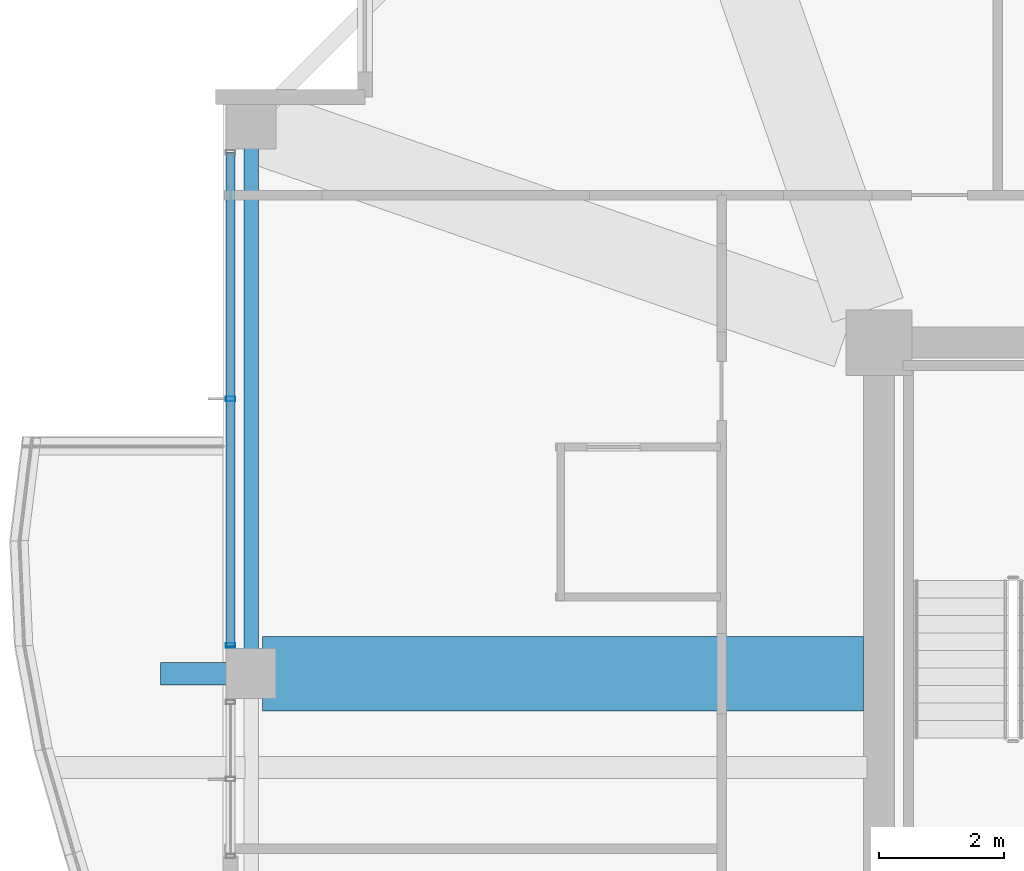
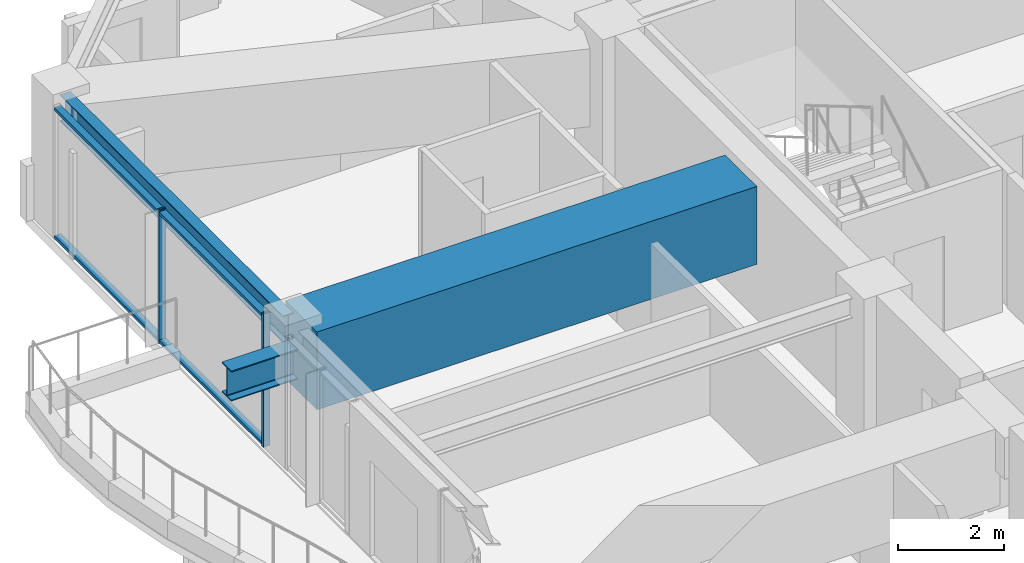
# One storey, part 9 of 35: 4 members, 3 beams, 1 element without a shape of its own.
"""IFC4 building model written with IfcOpenShell, lengths in metres."""

import ifcopenshell
import ifcopenshell.guid

model = None  # the IFC model being written
_history = None  # IfcOwnerHistory: only IFC2X3 demands one
_inside = {}  # id of a spatial element -> (the spatial element, [elements in it])
_under = {}  # id of a project, library or spatial element -> (it, [spatial elements below it])
_declared = {}  # id of a project -> (the project, [libraries it declares])
_typed = {}  # id of a type object -> (the type object, [elements of that type])
_made_of = {}  # id of a material, layer set ... -> (it, [elements and type objects made of it])


def new_model(schema):
    """Start an empty IFC model of exactly this schema.

    Asked for "IFC4X3", IfcOpenShell would pick the latest addendum, in which some entities
    have other attributes; the version numbers below select the first issue.
    IFC2X3 requires an IfcOwnerHistory on every rooted entity: one is made here for all.
    """
    global model, _history
    if schema == "IFC4X3":
        model = ifcopenshell.file(schema_version=(4, 3, 0, 0))
    else:
        model = ifcopenshell.file(schema=schema)
    _inside.clear()
    _under.clear()
    _declared.clear()
    _typed.clear()
    _made_of.clear()
    _history = None
    if model.schema == "IFC2X3":
        org = make("IfcOrganization", Name="unknown")
        user = make(
            "IfcPersonAndOrganization",
            ThePerson=make("IfcPerson", FamilyName="unknown"),
            TheOrganization=org,
        )
        app = make(
            "IfcApplication",
            ApplicationDeveloper=org,
            Version="unknown",
            ApplicationFullName="unknown",
            ApplicationIdentifier="unknown",
        )
        _history = make(
            "IfcOwnerHistory",
            OwningUser=user,
            OwningApplication=app,
            ChangeAction="ADDED",
            CreationDate=0,
        )
    return model


def make(cls, **values):
    """One entity of the class cls with the attributes given. An attribute that is None is left unset."""
    return model.create_entity(
        cls, **{name: value for name, value in values.items() if value is not None}
    )


def rooted(cls, **values):
    """An entity with a GlobalId (a new one), such as an element, a storey or a relation."""
    return make(cls, GlobalId=ifcopenshell.guid.new(), OwnerHistory=_history, **values)


def si_unit(unit_type, name, prefix=None):
    """IfcSIUnit, for example si_unit("LENGTHUNIT", "METRE", prefix="MILLI")."""
    return make("IfcSIUnit", UnitType=unit_type, Prefix=prefix, Name=name)


def assignment(units):
    """IfcUnitAssignment: the units of a project."""
    return None if units is None else make("IfcUnitAssignment", Units=units)


def point(xyz):
    """IfcCartesianPoint."""
    return None if xyz is None else make("IfcCartesianPoint", Coordinates=xyz)


def direction(xyz):
    """IfcDirection."""
    return None if xyz is None else make("IfcDirection", DirectionRatios=xyz)


def frame(location, z_axis=None, x_axis=None):
    """IfcAxis2Placement3D, a coordinate frame: its origin and axes. An axis left out is left unset."""
    return make(
        "IfcAxis2Placement3D",
        Location=point(location),
        Axis=direction(z_axis),
        RefDirection=direction(x_axis),
    )


def frame_2d(location, x_axis=None):
    """IfcAxis2Placement2D, a coordinate frame in the plane: its origin and x axis."""
    return make(
        "IfcAxis2Placement2D", Location=point(location), RefDirection=direction(x_axis)
    )


def origin():
    """The frame at (0, 0, 0) with its axes left unset."""
    return frame((0.0, 0.0, 0.0))


def origin_2d():
    """The frame at (0, 0) in the plane with its x axis left unset."""
    return frame_2d((0.0, 0.0))


def place(relative_to, where):
    """IfcLocalPlacement: puts the frame where relative to a parent placement (None: the world)."""
    return make(
        "IfcLocalPlacement", PlacementRelTo=relative_to, RelativePlacement=where
    )


def context(
    kind, dimensions, precision=None, world=None, true_north=None, identifier=None
):
    """IfcGeometricRepresentationContext, for example the 3D "Model" context."""
    return make(
        "IfcGeometricRepresentationContext",
        ContextIdentifier=identifier,
        ContextType=kind,
        CoordinateSpaceDimension=dimensions,
        Precision=precision,
        WorldCoordinateSystem=world,
        TrueNorth=true_north,
    )


def subcontext(parent, identifier, kind, view, scale=None):
    """IfcGeometricRepresentationSubContext, for example "Body" below "Model"."""
    return make(
        "IfcGeometricRepresentationSubContext",
        ContextIdentifier=identifier,
        ContextType=kind,
        ParentContext=parent,
        TargetScale=scale,
        TargetView=view,
    )


def project(units=None, contexts=None):
    """IfcProject with its units and contexts."""
    return rooted(
        "IfcProject",
        Name="project",
        RepresentationContexts=contexts,
        UnitsInContext=assignment(units),
    )


def spatial(cls, under=None, at=None, **own):
    """A site, building, storey or space (cls), placed at a placement, below another one or the project."""
    s = rooted(cls, ObjectPlacement=at, **own)
    if under is not None:
        _under.setdefault(under.id(), (under, []))[1].append(s)
    return s


def profile(cls, at=None, kind="AREA", **sizes):
    """A parametric profile (cls). Its sizes go by their IFC names, for example OverallWidth=200.0."""
    return make(cls, ProfileType=kind, Position=at, **sizes)


def rectangle(**sizes):
    """IfcRectangleProfileDef."""
    return profile("IfcRectangleProfileDef", **sizes)


def hollow_rectangle(**sizes):
    """IfcRectangleHollowProfileDef."""
    return profile("IfcRectangleHollowProfileDef", **sizes)


def i_section(**sizes):
    """IfcIShapeProfileDef."""
    return profile("IfcIShapeProfileDef", **sizes)


def extrude(swept, where, along, depth):
    """IfcExtrudedAreaSolid: the profile swept, set in the frame where, extruded along a direction by depth."""
    return make(
        "IfcExtrudedAreaSolid",
        SweptArea=swept,
        Position=where,
        ExtrudedDirection=direction(along),
        Depth=depth,
    )


def shape(context_of_items, identifier, shape_type, items):
    """IfcShapeRepresentation: the items that make up one representation, for example the "Body"."""
    return make(
        "IfcShapeRepresentation",
        ContextOfItems=context_of_items,
        RepresentationIdentifier=identifier,
        RepresentationType=shape_type,
        Items=items,
    )


def material(Name=None, Category=None):
    """IfcMaterial."""
    return make("IfcMaterial", Name=Name, Category=Category)


def material_profile(
    of_material, cross_section, Name=None, Category=None, Priority=None
):
    """IfcMaterialProfile: a cross section and its material."""
    return make(
        "IfcMaterialProfile",
        Name=Name,
        Material=of_material,
        Profile=cross_section,
        Priority=Priority,
        Category=Category,
    )


def profile_set(profiles, Name=None, composite=None):
    """IfcMaterialProfileSet."""
    return make(
        "IfcMaterialProfileSet",
        Name=Name,
        MaterialProfiles=profiles,
        CompositeProfile=composite,
    )


def made_of(thing, what):
    """Note that an element or type object is made of a material, layer set ...; save() writes the relation."""
    if what is not None:
        _made_of.setdefault(what.id(), (what, []))[1].append(thing)
    return thing


def type_object(cls, material=None, **own):
    """A type object (cls), such as IfcWallType, which elements share."""
    return made_of(rooted(cls, **own), material)


def element(
    cls,
    number,
    at=None,
    inside=None,
    cuts=None,
    type_object=None,
    material=None,
    context=None,
    identifier="Body",
    shape_type=None,
    held_by="IfcProductDefinitionShape",
    body=None,
    shapes=None,
    **own,
):
    """One element of the class cls, such as IfcWall. Its Tag is "e" and its number.

    at: its placement. inside: the storey or other place that contains it. cuts: it is an
    opening in that element (IfcRelVoidsElement). A single representation is given by context,
    identifier, shape_type and body (its items); several are given by shapes. held_by: the class
    of the entity that holds the representations. save() writes the other relations.
    """
    e = rooted(cls, Tag="e%d" % number, ObjectPlacement=at, **own)
    if body is not None:
        shapes = [shape(context, identifier, shape_type, body)]
    if shapes is not None:
        e.Representation = make(held_by, Representations=shapes)
    if inside is not None:
        _inside.setdefault(inside.id(), (inside, []))[1].append(e)
    if cuts is not None:
        rooted(
            "IfcRelVoidsElement", RelatingBuildingElement=cuts, RelatedOpeningElement=e
        )
    if type_object is not None:
        _typed.setdefault(type_object.id(), (type_object, []))[1].append(e)
    return made_of(e, material)


def aggregate(whole, parts):
    """IfcRelAggregates: a whole, such as a stair, and the parts it consists of."""
    return rooted("IfcRelAggregates", RelatingObject=whole, RelatedObjects=parts)


def save(model, path):
    """Write the relations noted so far, then the file.

    IfcRelAggregates (storeys below a building ...), IfcRelContainedInSpatialStructure (elements
    in a storey), IfcRelDefinesByType, IfcRelAssociatesMaterial and IfcRelDeclares: one each for
    every whole, place, type object, material and project.
    """
    for whole, parts in _under.values():
        aggregate(whole, parts)
    for where, things in _inside.values():
        rooted(
            "IfcRelContainedInSpatialStructure",
            RelatedElements=things,
            RelatingStructure=where,
        )
    for kind, things in _typed.values():
        rooted("IfcRelDefinesByType", RelatedObjects=things, RelatingType=kind)
    for what, things in _made_of.values():
        rooted("IfcRelAssociatesMaterial", RelatedObjects=things, RelatingMaterial=what)
    for by, libraries in _declared.values():
        rooted("IfcRelDeclares", RelatingContext=by, RelatedDefinitions=libraries)
    model.write(path)


model = new_model("IFC4")

# Units and contexts
model_context = context("Model", 3, precision=1e-05, world=origin(), true_north=direction((0.0, 1.0)))
body_context = subcontext(model_context, "Body", "Model", "MODEL_VIEW")
ifc_project = project(units=[si_unit("LENGTHUNIT", "METRE"), si_unit("AREAUNIT", "SQUARE_METRE"), si_unit("VOLUMEUNIT", "CUBIC_METRE"), si_unit("PLANEANGLEUNIT", "RADIAN"), si_unit("MASSUNIT", "GRAM", prefix="KILO")], contexts=[model_context])

# Site, building, storey
site_placement = place(None, origin())
site = spatial("IfcSite", under=ifc_project, at=site_placement, CompositionType="ELEMENT")
building_placement = place(site_placement, origin())
building = spatial("IfcBuilding", under=site, at=building_placement, Name="Kolvaren Belvedere", CompositionType="ELEMENT")
storey_placement = place(building_placement, frame((0.0, 0.0, 203.10009765625)))
storey = spatial("IfcBuildingStorey", under=building, at=storey_placement, Name="L59", CompositionType="ELEMENT", Elevation=203.10009765625)

# Beams
ifc_material_1 = material(Name="Structural steel ASTM A992 Grade 50", Category="steel")
ifc_material_profile_1 = material_profile(ifc_material_1, i_section(OverallWidth=0.35498046875, OverallDepth=0.696044921875, WebThickness=0.015380859375, FlangeThickness=0.02490234375, FilletRadius=0.02197265625, at=origin_2d()), Name="W27X146")
ifc_profile_set_1 = profile_set([ifc_material_profile_1], Name="Structural steel ASTM A992 Grade 50")
beam_type_1 = type_object("IfcBeamType", Name="BM-CANT-BAL", PredefinedType="BEAM", material=ifc_profile_set_1)
beam_1_placement = place(storey_placement, frame((-19.949951171875, 4.60009765625, 2.141845703125), z_axis=(-1.0, 0.0, 0.0), x_axis=(0.0, -1.0, 0.0)))
element("IfcBeam", 1, at=beam_1_placement, inside=storey, type_object=beam_type_1, Name="L59 West Picture-Frame Column Corbel P", PredefinedType="BEAM", context=body_context, shape_type="SweptSolid", body=[
    extrude(i_section(OverallWidth=0.35498046875, OverallDepth=0.696044921875, WebThickness=0.015380859375, FlangeThickness=0.02490234375, FilletRadius=0.02197265625, at=origin_2d()), origin(), (0.0, 0.0, 1.0), 1.449951171875),
])
ifc_material_2 = material(Name="Structural steel ASTM A992 Grade 50", Category="steel")
ifc_material_profile_2 = material_profile(ifc_material_2, i_section(OverallWidth=0.22900390625, OverallDepth=0.612060546875, WebThickness=0.011962890625, FlangeThickness=0.01953125, FilletRadius=0.01806640625, at=origin_2d()), Name="W24X84")
ifc_profile_set_2 = profile_set([ifc_material_profile_2], Name="Structural steel ASTM A992 Grade 50")
beam_type_2 = type_object("IfcBeamType", Name="BM-SPAN-W24X84", PredefinedType="SPANDREL", material=ifc_profile_set_2)
beam_2_placement = place(storey_placement, frame((-19.949951171875, 13.219970703125, 2.77392578125), z_axis=(0.0, -1.0, 0.0), x_axis=(1.0, 0.0, 0.0)))
element("IfcBeam", 2, at=beam_2_placement, inside=storey, type_object=beam_type_2, Name="L59 Perimeter Spandrel W4-W3", PredefinedType="SPANDREL", context=body_context, shape_type="SweptSolid", body=[
    extrude(i_section(OverallWidth=0.22900390625, OverallDepth=0.612060546875, WebThickness=0.011962890625, FlangeThickness=0.01953125, FilletRadius=0.01806640625, at=origin_2d()), origin(), (0.0, 0.0, 1.0), 8.43994140625),
])
ifc_material_3 = material(Name="Concrete C50/60", Category="concrete")
ifc_material_profile_3 = material_profile(ifc_material_3, rectangle(XDim=1.199951171875, YDim=1.800048828125, at=origin_2d()), Name="RC 1200X1800")
ifc_profile_set_3 = profile_set([ifc_material_profile_3], Name="Concrete C50/60")
beam_type_3 = type_object("IfcBeamType", Name="BM-TG-1800", PredefinedType="BEAM", material=ifc_profile_set_3)
beam_3_placement = place(storey_placement, frame((-10.14990234375, 4.60009765625, 2.179931640625), z_axis=(-1.0, 0.0, 0.0), x_axis=(0.0, -1.0, 0.0)))
element("IfcBeam", 3, at=beam_3_placement, inside=storey, type_object=beam_type_3, Name="L59 West Radial Girder P", PredefinedType="BEAM", context=body_context, shape_type="SweptSolid", body=[
    extrude(rectangle(XDim=1.199951171875, YDim=1.800048828125, at=origin_2d()), origin(), (0.0, 0.0, 1.0), 9.6201171875),
])

# Curtain wall, members
ifc_material_4 = material(Name="Anodised pale-metal aluminium AA 6063-T6", Category="aluminium")
curtain_wall_type = type_object("IfcCurtainWallType", Name="CW-Z5-HIGH", PredefinedType="NOTDEFINED", material=ifc_material_4)
curtain_wall_placement = place(storey_placement, origin())
curtain_wall = element("IfcCurtainWall", 4, at=curtain_wall_placement, inside=storey, type_object=curtain_wall_type, Name="L59 Unitised Curtain Wall FCW-L59-W2-B2", PredefinedType="NOTDEFINED")
ifc_material_5 = material(Name="Anodised pale-metal aluminium AA 6063-T6", Category="aluminium")
ifc_material_profile_4 = material_profile(ifc_material_5, hollow_rectangle(XDim=0.070068359375, YDim=0.14990234375, WallThickness=0.004150390625, at=origin_2d()), Name="ALU-MUL-150X70")
ifc_profile_set_4 = profile_set([ifc_material_profile_4], Name="Anodised pale-metal aluminium AA 6063-T6")
member_type_1 = type_object("IfcMemberType", Name="CW-MUL-150", PredefinedType="MULLION", material=ifc_profile_set_4)
member_1_placement = place(storey_placement, frame((-20.280029296875, 5.054931640625, 0.0), z_axis=(0.0, 0.0, 1.0), x_axis=(0.0, 1.0, 0.0)))
member_1 = element("IfcMember", 5, at=member_1_placement, type_object=member_type_1, Name="FCW-L59-W2-B2 Unitised Mullion 1", PredefinedType="MULLION", context=body_context, shape_type="SweptSolid", body=[
    extrude(hollow_rectangle(XDim=0.070068359375, YDim=0.14990234375, WallThickness=0.004150390625, at=origin_2d()), origin(), (0.0, 0.0, 1.0), 3.079833984375),
])
member_2_placement = place(storey_placement, frame((-20.280029296875, 9.0, 0.0), z_axis=(0.0, 0.0, 1.0), x_axis=(0.0, 1.0, 0.0)))
member_2 = element("IfcMember", 6, at=member_2_placement, type_object=member_type_1, Name="FCW-L59-W2-B2 Unitised Mullion 2", PredefinedType="MULLION", context=body_context, shape_type="SweptSolid", body=[
    extrude(hollow_rectangle(XDim=0.070068359375, YDim=0.14990234375, WallThickness=0.004150390625, at=origin_2d()), origin(), (0.0, 0.0, 1.0), 3.079833984375),
])
ifc_material_6 = material(Name="Anodised pale-metal aluminium AA 6063-T6", Category="aluminium")
ifc_material_profile_5 = material_profile(ifc_material_6, hollow_rectangle(XDim=0.06494140625, YDim=0.14990234375, WallThickness=0.00390625, at=origin_2d()), Name="ALU-TRN-150X65")
ifc_profile_set_5 = profile_set([ifc_material_profile_5], Name="Anodised pale-metal aluminium AA 6063-T6")
member_type_2 = type_object("IfcMemberType", Name="CW-TRN-150", PredefinedType="USERDEFINED", material=ifc_profile_set_5)
member_3_placement = place(storey_placement, frame((-20.280029296875, 5.054931640625, 0.059814453125), z_axis=(0.0, 1.0, 0.0), x_axis=(0.0, 0.0, 1.0)))
member_3 = element("IfcMember", 7, at=member_3_placement, type_object=member_type_2, Name="FCW-L59-W2-B2 Sill Transom", ObjectType="TRANSOM", PredefinedType="USERDEFINED", context=body_context, shape_type="SweptSolid", body=[
    extrude(hollow_rectangle(XDim=0.06494140625, YDim=0.14990234375, WallThickness=0.00390625, at=origin_2d()), origin(), (0.0, 0.0, 1.0), 7.89013671875),
])
member_4_placement = place(storey_placement, frame((-20.280029296875, 5.054931640625, 3.02001953125), z_axis=(0.0, 1.0, 0.0), x_axis=(0.0, 0.0, 1.0)))
member_4 = element("IfcMember", 8, at=member_4_placement, type_object=member_type_2, Name="FCW-L59-W2-B2 Head Transom", ObjectType="TRANSOM", PredefinedType="USERDEFINED", context=body_context, shape_type="SweptSolid", body=[
    extrude(hollow_rectangle(XDim=0.06494140625, YDim=0.14990234375, WallThickness=0.00390625, at=origin_2d()), origin(), (0.0, 0.0, 1.0), 7.89013671875),
])
aggregate(curtain_wall, [member_1, member_2, member_3, member_4])

save(model, "model.ifc")
